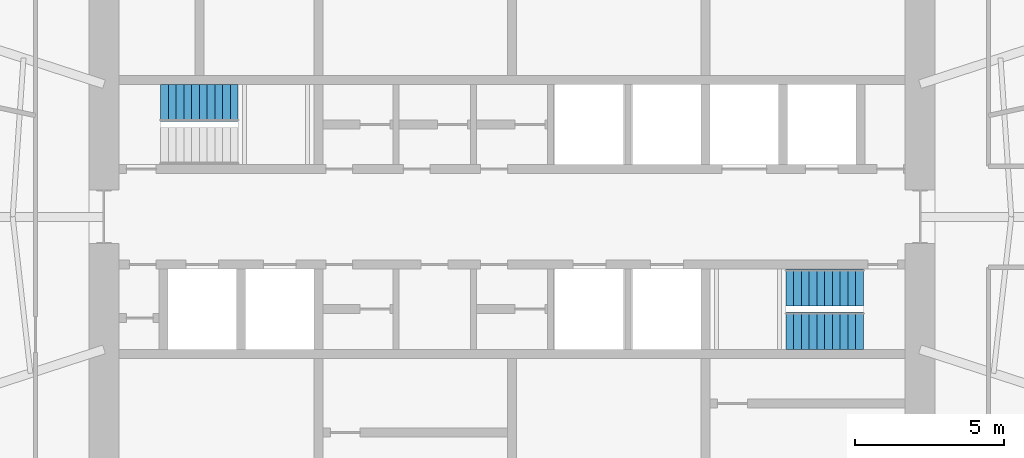
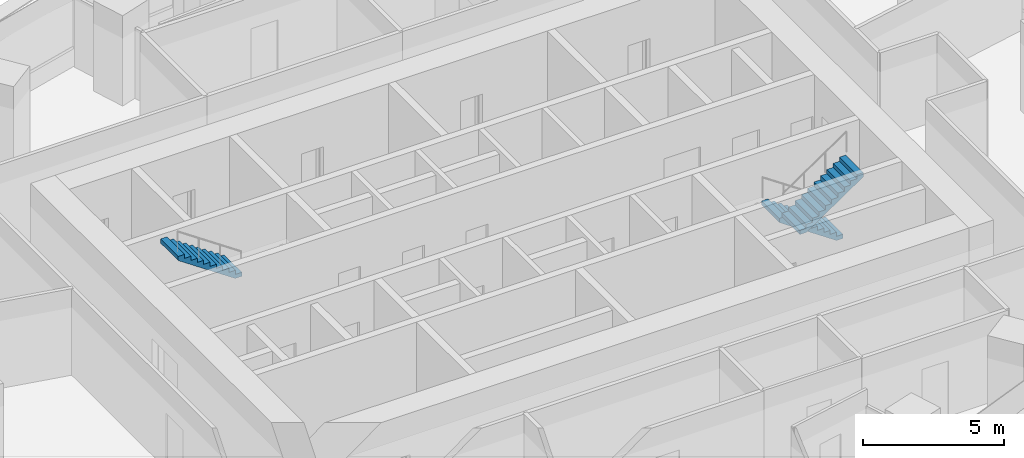
# One storey, part 13 of 15: 3 stair flights, 2 elements without a shape of their own.
"""IFC4 building model written with IfcOpenShell, lengths in metres."""

from ifc_helpers import new_model, si_unit, direction, frame, origin, place, context, subcontext, project, spatial, polyline, outline, extrude, material, type_object, element, aggregate, save


model = new_model("IFC4")

# Units and contexts
model_context = context("Model", 3, precision=1e-05, world=origin(), true_north=direction((0.0, 1.0)))
body_context = subcontext(model_context, "Body", "Model", "MODEL_VIEW")
ifc_project = project(units=[si_unit("LENGTHUNIT", "METRE"), si_unit("AREAUNIT", "SQUARE_METRE"), si_unit("VOLUMEUNIT", "CUBIC_METRE"), si_unit("PLANEANGLEUNIT", "RADIAN"), si_unit("MASSUNIT", "GRAM", prefix="KILO")], contexts=[model_context])

# Site, building, storey
site_placement = place(None, origin())
site = spatial("IfcSite", under=ifc_project, at=site_placement, CompositionType="ELEMENT")
building_placement = place(site_placement, origin())
building = spatial("IfcBuilding", under=site, at=building_placement, Name="Marramba Exchange Tower", CompositionType="ELEMENT")
storey_placement = place(building_placement, frame((0.0, 0.0, 230.60009765625)))
storey = spatial("IfcBuildingStorey", under=building, at=storey_placement, Name="L56", CompositionType="ELEMENT", Elevation=230.60009765625)

# Stair, stair flight
ifc_material = material(Name="Concrete N40 (40 MPa)", Category="concrete")
stair_type_1 = type_object("IfcStairType", Name="Exit stair ST1 3900 x 1250", PredefinedType="HALF_TURN_STAIR", material=ifc_material)
stair_1_placement = place(storey_placement, origin())
stair_1 = element("IfcStair", 1, at=stair_1_placement, inside=storey, type_object=stair_type_1, Name="Exit stair ST1 L56", PredefinedType="HALF_TURN_STAIR")
stair_flight_type_1 = type_object("IfcStairFlightType", Name="ST1 stair flight 1773 riser 1250 wide", PredefinedType="STRAIGHT", material=ifc_material)
stair_flight_1_placement = place(storey_placement, frame((-9.199951171875, 3.824951171875, 1.949951171875), z_axis=(0.0, 0.0, 1.0), x_axis=(-1.0, 0.0, 0.0)))
stair_flight_1 = element("IfcStairFlight", 2, at=stair_flight_1_placement, type_object=stair_flight_type_1, Name="ST1 flight 2", NumberOfRisers=11, NumberOfTreads=10, PredefinedType="STRAIGHT", RiserHeight=0.177272727, TreadLength=0.26, context=body_context, shape_type="SweptSolid", body=[
    extrude(outline(polyline([(0.0, 0.0), (0.0, 0.17724609375), (0.260009765625, 0.17724609375), (0.260009765625, 0.3544921875), (0.52001953125, 0.3544921875), (0.52001953125, 0.53173828125), (0.780029296875, 0.53173828125), (0.780029296875, 0.708984375), (1.0400390625, 0.708984375), (1.0400390625, 0.886474609375), (1.300048828125, 0.886474609375), (1.300048828125, 1.063720703125), (1.56005859375, 1.063720703125), (1.56005859375, 1.240966796875), (1.820068359375, 1.240966796875), (1.820068359375, 1.418212890625), (2.080078125, 1.418212890625), (2.080078125, 1.595458984375), (2.340087890625, 1.595458984375), (2.340087890625, 1.772705078125), (2.60009765625, 1.772705078125), (2.60009765625, 1.949951171875), (2.60009765625, 1.59130859375), (0.26611328125, 0.0), (0.0, 0.0)])), frame((0.0, 0.625, 0.0), z_axis=(0.0, -1.0, 0.0), x_axis=(1.0, 0.0, 0.0)), (0.0, 0.0, 1.0), 1.25),
])
aggregate(stair_1, [stair_flight_1])

# Stair, stair flights
stair_type_2 = type_object("IfcStairType", Name="Exit stair ST2 3900 x 1250", PredefinedType="HALF_TURN_STAIR", material=ifc_material)
stair_2_placement = place(storey_placement, origin())
stair_2 = element("IfcStair", 3, at=stair_2_placement, inside=storey, type_object=stair_type_2, Name="Exit stair ST2 L56", PredefinedType="HALF_TURN_STAIR")
stair_flight_type_2 = type_object("IfcStairFlightType", Name="ST2 stair flight 1773 riser 1250 wide", PredefinedType="STRAIGHT", material=ifc_material)
stair_flight_2_placement = place(storey_placement, frame((11.800048828125, -2.375, 0.0), z_axis=(0.0, 0.0, 1.0), x_axis=(-1.0, 0.0, 0.0)))
stair_flight_2 = element("IfcStairFlight", 4, at=stair_flight_2_placement, type_object=stair_flight_type_2, Name="ST2 flight 1", NumberOfRisers=11, NumberOfTreads=10, PredefinedType="STRAIGHT", RiserHeight=0.177272727, TreadLength=0.26, context=body_context, shape_type="SweptSolid", body=[
    extrude(outline(polyline([(0.0, 0.0), (0.0, 0.17724609375), (0.260009765625, 0.17724609375), (0.260009765625, 0.3544921875), (0.52001953125, 0.3544921875), (0.52001953125, 0.53173828125), (0.780029296875, 0.53173828125), (0.780029296875, 0.708984375), (1.0400390625, 0.708984375), (1.0400390625, 0.886474609375), (1.300048828125, 0.886474609375), (1.300048828125, 1.063720703125), (1.56005859375, 1.063720703125), (1.56005859375, 1.240966796875), (1.820068359375, 1.240966796875), (1.820068359375, 1.418212890625), (2.080078125, 1.418212890625), (2.080078125, 1.595458984375), (2.340087890625, 1.595458984375), (2.340087890625, 1.772705078125), (2.60009765625, 1.772705078125), (2.60009765625, 1.949951171875), (2.60009765625, 1.59130859375), (0.26611328125, 0.0), (0.0, 0.0)])), frame((0.0, 0.625, 0.0), z_axis=(0.0, -1.0, 0.0), x_axis=(1.0, 0.0, 0.0)), (0.0, 0.0, 1.0), 1.25),
])
stair_flight_3_placement = place(storey_placement, frame((9.199951171875, -3.824951171875, 1.949951171875), z_axis=(0.0, 0.0, 1.0), x_axis=(1.0, 0.0, 0.0)))
stair_flight_3 = element("IfcStairFlight", 5, at=stair_flight_3_placement, type_object=stair_flight_type_2, Name="ST2 flight 2", NumberOfRisers=11, NumberOfTreads=10, PredefinedType="STRAIGHT", RiserHeight=0.177272727, TreadLength=0.26, context=body_context, shape_type="SweptSolid", body=[
    extrude(outline(polyline([(0.0, 0.0), (0.0, 0.17724609375), (0.260009765625, 0.17724609375), (0.260009765625, 0.3544921875), (0.52001953125, 0.3544921875), (0.52001953125, 0.53173828125), (0.780029296875, 0.53173828125), (0.780029296875, 0.708984375), (1.0400390625, 0.708984375), (1.0400390625, 0.886474609375), (1.300048828125, 0.886474609375), (1.300048828125, 1.063720703125), (1.56005859375, 1.063720703125), (1.56005859375, 1.240966796875), (1.820068359375, 1.240966796875), (1.820068359375, 1.418212890625), (2.080078125, 1.418212890625), (2.080078125, 1.595458984375), (2.340087890625, 1.595458984375), (2.340087890625, 1.772705078125), (2.60009765625, 1.772705078125), (2.60009765625, 1.949951171875), (2.60009765625, 1.59130859375), (0.26611328125, 0.0), (0.0, 0.0)])), frame((0.0, 0.625, 0.0), z_axis=(0.0, -1.0, 0.0), x_axis=(1.0, 0.0, 0.0)), (0.0, 0.0, 1.0), 1.25),
])
aggregate(stair_2, [stair_flight_2, stair_flight_3])

save(model, "model.ifc")
